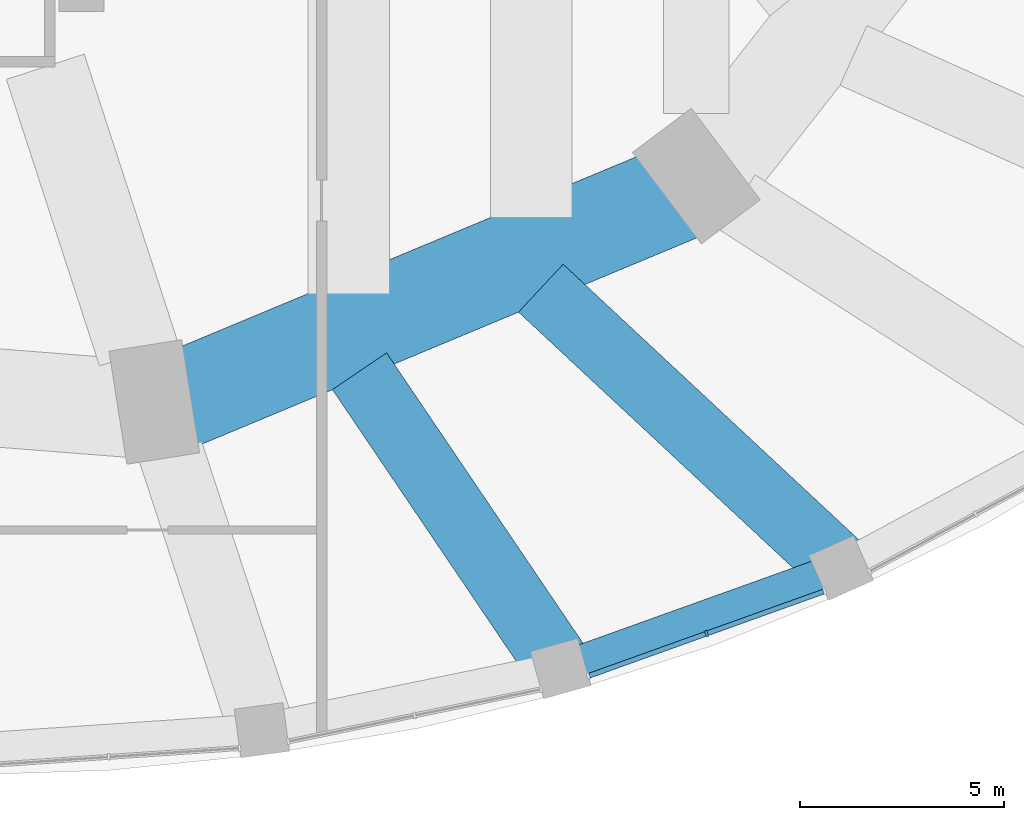
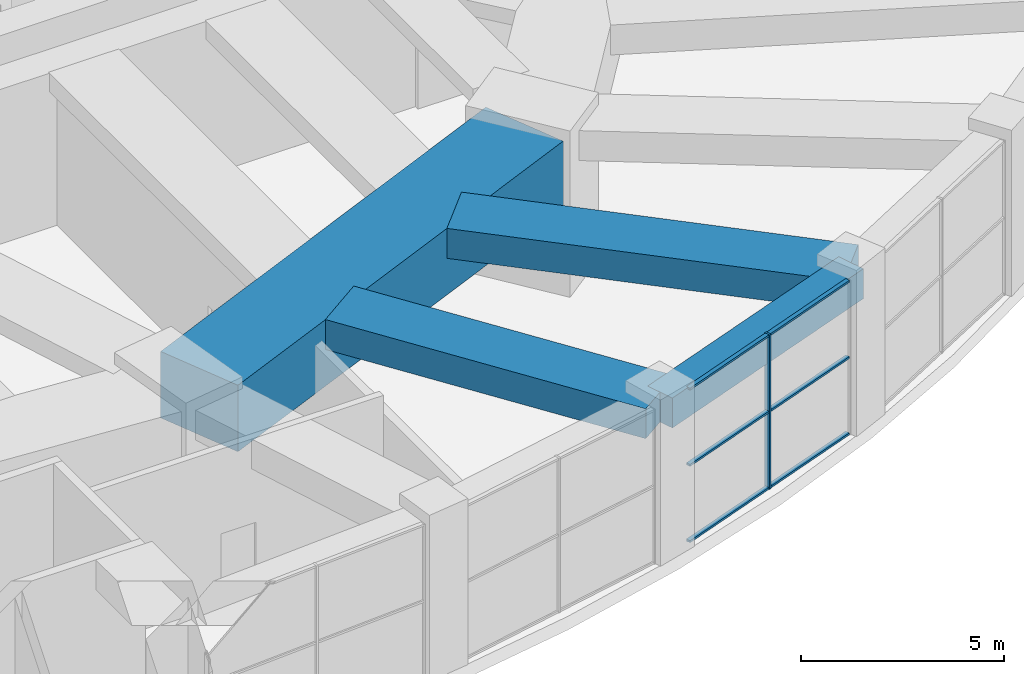
# One storey, part 6 of 30: 7 members, 4 beams, 1 element without a shape of its own.
"""IFC4 building model written with IfcOpenShell, lengths in metres."""

from ifc_helpers import new_model, si_unit, direction, frame, origin, origin_2d, place, context, subcontext, project, spatial, rectangle, extrude, material, material_profile, profile_set, type_object, element, aggregate, save


model = new_model("IFC4")

# Units and contexts
model_context = context("Model", 3, precision=1e-05, world=origin(), true_north=direction((0.0, 1.0)))
body_context = subcontext(model_context, "Body", "Model", "MODEL_VIEW")
ifc_project = project(units=[si_unit("LENGTHUNIT", "METRE"), si_unit("AREAUNIT", "SQUARE_METRE"), si_unit("VOLUMEUNIT", "CUBIC_METRE"), si_unit("PLANEANGLEUNIT", "RADIAN"), si_unit("MASSUNIT", "GRAM", prefix="KILO")], contexts=[model_context])

# Site, building, storey
site_placement = place(None, origin())
site = spatial("IfcSite", under=ifc_project, at=site_placement, CompositionType="ELEMENT")
building_placement = place(site_placement, origin())
building = spatial("IfcBuilding", under=site, at=building_placement, Name="Taillehof Tower", CompositionType="ELEMENT")
storey_placement = place(building_placement, frame((0.0, 0.0, 12.5)))
storey = spatial("IfcBuildingStorey", under=building, at=storey_placement, Name="L02", CompositionType="ELEMENT", Elevation=12.5)

# Beams
ifc_material_1 = material(Name="Concrete C50/60", Category="concrete")
ifc_material_profile_1 = material_profile(ifc_material_1, rectangle(XDim=0.800048828125, YDim=0.89990234375, at=origin_2d()), Name="RC 800x900")
ifc_profile_set_1 = profile_set([ifc_material_profile_1], Name="Concrete C50/60")
beam_type_1 = type_object("IfcBeamType", Name="Podium edge beam C50/60 800x900", PredefinedType="BEAM", material=ifc_profile_set_1)
beam_1_placement = place(storey_placement, frame((14.84375, -31.3857421875, 4.199951171875), z_axis=(0.941227460002, 0.337773398209, 0.0), x_axis=(-0.337773398209, 0.941227460002, 0.0)))
element("IfcBeam", 1, at=beam_1_placement, inside=storey, type_object=beam_type_1, Name="Podium edge beam PB30", PredefinedType="BEAM", context=body_context, shape_type="SweptSolid", body=[
    extrude(rectangle(XDim=0.800048828125, YDim=0.89990234375, at=origin_2d()), origin(), (0.0, 0.0, 1.0), 7.284423828125),
])
ifc_material_2 = material(Name="Concrete C50/60", Category="concrete")
ifc_material_profile_2 = material_profile(ifc_material_2, rectangle(XDim=1.60009765625, YDim=0.89990234375, at=origin_2d()), Name="RC 1600x900")
ifc_profile_set_2 = profile_set([ifc_material_profile_2], Name="Concrete C50/60")
beam_type_2 = type_object("IfcBeamType", Name="Podium radial beam C50/60 1600x900", PredefinedType="BEAM", material=ifc_profile_set_2)
beam_2_placement = place(storey_placement, frame((14.84375, -31.3857421875, 4.199951171875), z_axis=(-0.560372770014, 0.828240519793, 0.0), x_axis=(-0.828240519793, -0.560372770014, 0.0)))
element("IfcBeam", 2, at=beam_2_placement, inside=storey, type_object=beam_type_2, Name="Podium radial beam PR30", PredefinedType="BEAM", context=body_context, shape_type="SweptSolid", body=[
    extrude(rectangle(XDim=1.60009765625, YDim=0.89990234375, at=origin_2d()), origin(), (0.0, 0.0, 1.0), 8.77978515625),
])
beam_3_placement = place(storey_placement, frame((21.699951171875, -28.92529296875, 4.199951171875), z_axis=(-0.731614026769, 0.681719088653, 0.0), x_axis=(-0.681719088653, -0.731614026769, 0.0)))
element("IfcBeam", 3, at=beam_3_placement, inside=storey, type_object=beam_type_2, Name="Podium radial beam PR31", PredefinedType="BEAM", context=body_context, shape_type="SweptSolid", body=[
    extrude(rectangle(XDim=1.60009765625, YDim=0.89990234375, at=origin_2d()), origin(), (0.0, 0.0, 1.0), 10.03564453125),
])

# Curtain wall, members
ifc_material_3 = material(Name="Aluminium curtain wall with Clear low-emissivity double glazing", Category="aluminium")
curtain_wall_type = type_object("IfcCurtainWallType", Name="Podium window wall curtain wall", PredefinedType="USERDEFINED", material=ifc_material_3)
curtain_wall_placement = place(storey_placement, origin())
curtain_wall = element("IfcCurtainWall", 4, at=curtain_wall_placement, inside=storey, type_object=curtain_wall_type, Name="Podium window wall L02 bay 30", ObjectType="WINDOW WALL", PredefinedType="USERDEFINED")
ifc_material_4 = material(Name="Aluminium mullion", Category="aluminium")
ifc_material_profile_3 = material_profile(ifc_material_4, rectangle(XDim=0.159912109375, YDim=0.06005859375, at=origin_2d()), Name="AL 60x160")
ifc_profile_set_3 = profile_set([ifc_material_profile_3], Name="Aluminium mullion")
member_type_1 = type_object("IfcMemberType", Name="Podium window wall mullion 60x160", PredefinedType="MULLION", material=ifc_profile_set_3)
member_1_placement = place(storey_placement, frame((18.4072265625, -30.5302734375, 0.0), z_axis=(0.0, 0.0, 1.0), x_axis=(-0.337798502496, 0.94121845058, 0.0)))
member_1 = element("IfcMember", 5, at=member_1_placement, type_object=member_type_1, Name="CT230 mullion 2", PredefinedType="MULLION", context=body_context, shape_type="SweptSolid", body=[
    extrude(rectangle(XDim=0.159912109375, YDim=0.06005859375, at=origin_2d()), origin(), (0.0, 0.0, 1.0), 4.64990234375),
])
ifc_material_5 = material(Name="Aluminium transom", Category="aluminium")
ifc_material_profile_4 = material_profile(ifc_material_5, rectangle(XDim=0.1201171875, YDim=0.06005859375, at=origin_2d()), Name="AL 120x60")
ifc_profile_set_4 = profile_set([ifc_material_profile_4], Name="Aluminium transom")
member_type_2 = type_object("IfcMemberType", Name="Podium window wall transom 120x60", PredefinedType="USERDEFINED", material=ifc_profile_set_4)
member_2_placement = place(storey_placement, frame((15.546142578125, -31.556884765625, 0.030029296875), z_axis=(0.941225092519, 0.337779995281, 0.0), x_axis=(-0.337779995281, 0.941225092519, 0.0)))
member_2 = element("IfcMember", 6, at=member_2_placement, type_object=member_type_2, Name="CT230 transom 1.1", ObjectType="TRANSOM", PredefinedType="USERDEFINED", context=body_context, shape_type="SweptSolid", body=[
    extrude(rectangle(XDim=0.1201171875, YDim=0.06005859375, at=origin_2d()), origin(), (0.0, 0.0, 1.0), 3.009765625),
])
member_3_placement = place(storey_placement, frame((15.546142578125, -31.556884765625, 2.324951171875), z_axis=(0.941225092519, 0.337779995281, 0.0), x_axis=(-0.337779995281, 0.941225092519, 0.0)))
member_3 = element("IfcMember", 7, at=member_3_placement, type_object=member_type_2, Name="CT230 transom 1.2", ObjectType="TRANSOM", PredefinedType="USERDEFINED", context=body_context, shape_type="SweptSolid", body=[
    extrude(rectangle(XDim=0.1201171875, YDim=0.06005859375, at=origin_2d()), origin(), (0.0, 0.0, 1.0), 3.009765625),
])
member_4_placement = place(storey_placement, frame((15.546142578125, -31.556884765625, 4.6201171875), z_axis=(0.941225092519, 0.337779995281, 0.0), x_axis=(-0.337779995281, 0.941225092519, 0.0)))
member_4 = element("IfcMember", 8, at=member_4_placement, type_object=member_type_2, Name="CT230 transom 1.3", ObjectType="TRANSOM", PredefinedType="USERDEFINED", context=body_context, shape_type="SweptSolid", body=[
    extrude(rectangle(XDim=0.1201171875, YDim=0.06005859375, at=origin_2d()), origin(), (0.0, 0.0, 1.0), 3.009765625),
])
member_5_placement = place(storey_placement, frame((18.435546875, -30.52001953125, 0.030029296875), z_axis=(0.941215836147, 0.337805787081, 0.0), x_axis=(-0.337805787081, 0.941215836147, 0.0)))
member_5 = element("IfcMember", 9, at=member_5_placement, type_object=member_type_2, Name="CT230 transom 2.1", ObjectType="TRANSOM", PredefinedType="USERDEFINED", context=body_context, shape_type="SweptSolid", body=[
    extrude(rectangle(XDim=0.1201171875, YDim=0.06005859375, at=origin_2d()), origin(), (0.0, 0.0, 1.0), 3.009521484375),
])
member_6_placement = place(storey_placement, frame((18.435546875, -30.52001953125, 2.324951171875), z_axis=(0.941215836147, 0.337805787081, 0.0), x_axis=(-0.337805787081, 0.941215836147, 0.0)))
member_6 = element("IfcMember", 10, at=member_6_placement, type_object=member_type_2, Name="CT230 transom 2.2", ObjectType="TRANSOM", PredefinedType="USERDEFINED", context=body_context, shape_type="SweptSolid", body=[
    extrude(rectangle(XDim=0.1201171875, YDim=0.06005859375, at=origin_2d()), origin(), (0.0, 0.0, 1.0), 3.009521484375),
])
member_7_placement = place(storey_placement, frame((18.435546875, -30.52001953125, 4.6201171875), z_axis=(0.941215836147, 0.337805787081, 0.0), x_axis=(-0.337805787081, 0.941215836147, 0.0)))
member_7 = element("IfcMember", 11, at=member_7_placement, type_object=member_type_2, Name="CT230 transom 2.3", ObjectType="TRANSOM", PredefinedType="USERDEFINED", context=body_context, shape_type="SweptSolid", body=[
    extrude(rectangle(XDim=0.1201171875, YDim=0.06005859375, at=origin_2d()), origin(), (0.0, 0.0, 1.0), 3.009521484375),
])
aggregate(curtain_wall, [member_1, member_2, member_3, member_4, member_5, member_6, member_7])

# Beam
ifc_material_6 = material(Name="Concrete C80/95", Category="concrete")
ifc_material_profile_5 = material_profile(ifc_material_6, rectangle(XDim=2.39990234375, YDim=2.0, at=origin_2d()), Name="RC 2400x2000")
ifc_profile_set_5 = profile_set([ifc_material_profile_5], Name="Concrete C80/95")
beam_type_3 = type_object("IfcBeamType", Name="Transfer girder C80/95 2400x2000", PredefinedType="BEAM", material=ifc_profile_set_5)
beam_4_placement = place(storey_placement, frame((5.521484375, -24.826416015625, 3.64990234375), z_axis=(0.923034252673, 0.384717777588, 0.0), x_axis=(-0.384717777588, 0.923034252673, 0.0)))
element("IfcBeam", 12, at=beam_4_placement, inside=storey, type_object=beam_type_3, Name="Transfer girder TG10", PredefinedType="BEAM", context=body_context, shape_type="SweptSolid", body=[
    extrude(rectangle(XDim=2.39990234375, YDim=2.0, at=origin_2d()), origin(), (0.0, 0.0, 1.0), 13.205322265625),
])

save(model, "model.ifc")
